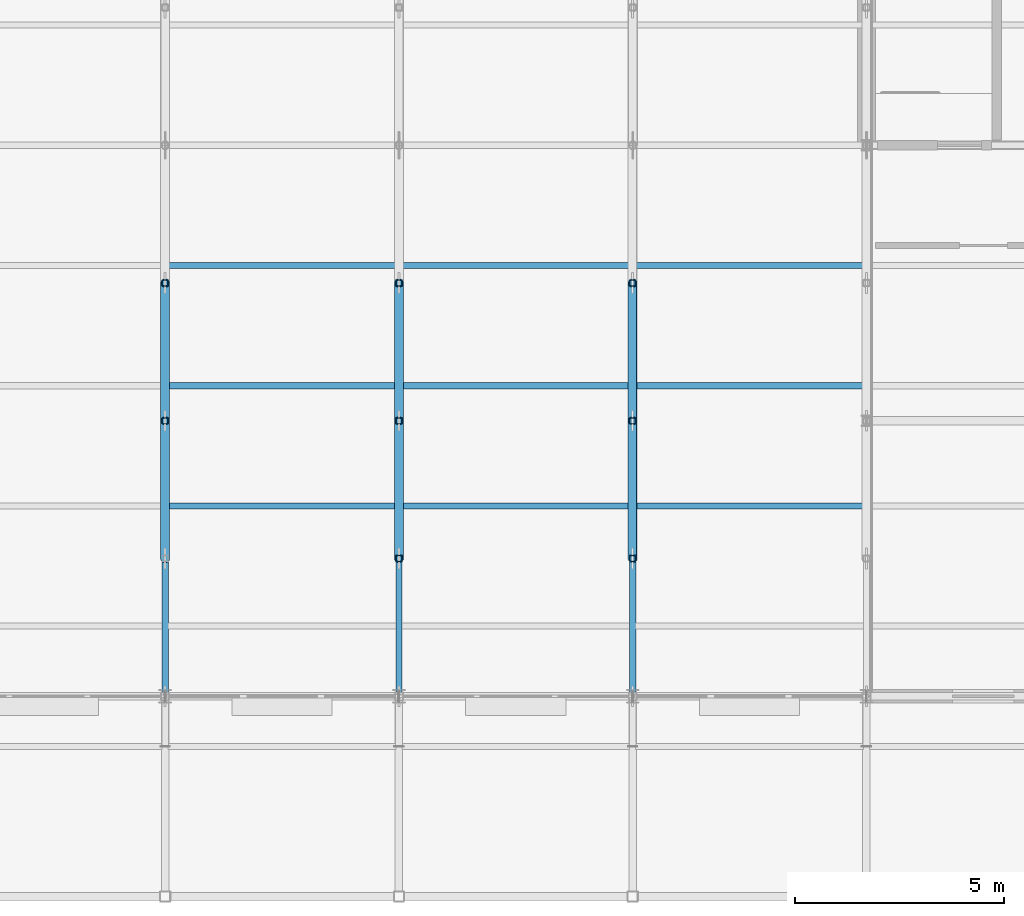
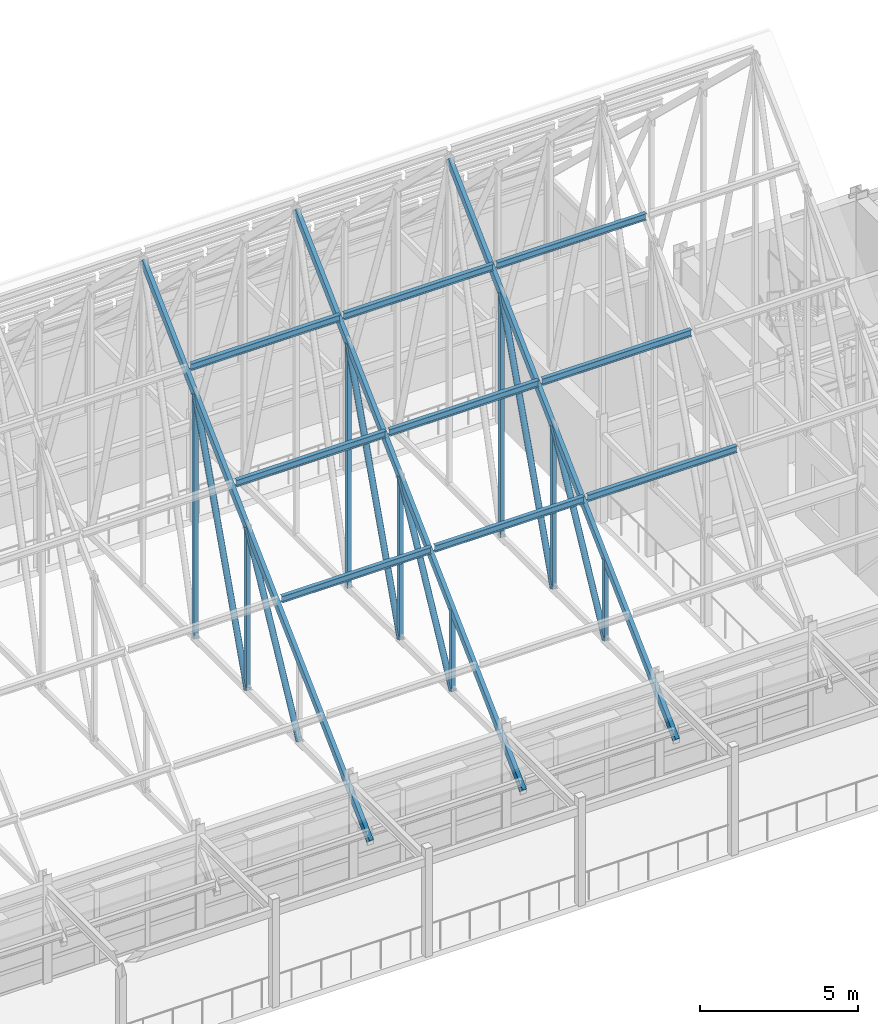
# One storey, part 42 of 144: 26 members.
"""IFC4 building model written with IfcOpenShell, lengths in metres."""

from ifc_helpers import new_model, si_unit, direction, frame, origin, origin_2d, place, context, subcontext, project, spatial, hollow_rectangle, hollow_circle, i_section, extrude, material, material_profile, profile_set, type_object, element, save


model = new_model("IFC4")

# Units and contexts
model_context = context("Model", 3, precision=1e-05, world=origin(), true_north=direction((0.0, 1.0)))
body_context = subcontext(model_context, "Body", "Model", "MODEL_VIEW")
ifc_project = project(units=[si_unit("LENGTHUNIT", "METRE"), si_unit("AREAUNIT", "SQUARE_METRE"), si_unit("VOLUMEUNIT", "CUBIC_METRE"), si_unit("PLANEANGLEUNIT", "RADIAN"), si_unit("MASSUNIT", "GRAM", prefix="KILO")], contexts=[model_context])

# Site, building, storey
site_placement = place(None, origin())
site = spatial("IfcSite", under=ifc_project, at=site_placement, CompositionType="ELEMENT")
building_placement = place(site_placement, origin())
building = spatial("IfcBuilding", under=site, at=building_placement, Name="Trelmorton Wharf Fire Station", CompositionType="ELEMENT")
storey_placement = place(building_placement, frame((0.0, 0.0, 5.39990234375)))
storey = spatial("IfcBuildingStorey", under=building, at=storey_placement, Name="L01", CompositionType="ELEMENT", Elevation=5.39990234375)

# Members
ifc_material_1 = material(Name="Steel Grade 300 (300 MPa)", Category="steel")
ifc_material_profile_1 = material_profile(ifc_material_1, i_section(OverallWidth=0.14599609375, OverallDepth=0.256103515625, WebThickness=0.00634765625, FlangeThickness=0.010986328125, FilletRadius=0.0087890625, at=origin_2d()), Name="250UB37.3")
ifc_profile_set_1 = profile_set([ifc_material_profile_1], Name="Steel Grade 300 (300 MPa)")
member_type_1 = type_object("IfcMemberType", Name="PR_250UB37", PredefinedType="PURLIN", material=ifc_profile_set_1)
for number, where, z_axis, x_axis, name in (
    (1, (34.471923828125, 12.360107421875, 8.064453125), (1.0, 0.0, 0.0), (0.0, 1.0, 0.0), "V1-PR-B07-S2"),
    (2, (34.471923828125, 15.239990234375, 10.8134765625), (1.0, 0.0, 0.0), (0.0, 1.0, 0.0), "V1-PR-B07-S3"),
    (3, (34.471923828125, 18.1201171875, 13.5625), (1.0, 0.0, 0.0), (0.0, 1.0, 0.0), "V1-PR-B07-S4"),
    (4, (40.072021484375, 12.360107421875, 8.064453125), (1.0, 0.0, 0.0), (0.0, 1.0, 0.0), "V1-PR-B08-S2"),
    (5, (40.072021484375, 15.239990234375, 10.8134765625), (1.0, 0.0, 0.0), (0.0, 1.0, 0.0), "V1-PR-B08-S3"),
    (6, (40.072021484375, 18.1201171875, 13.5625), (1.0, 0.0, 0.0), (0.0, 1.0, 0.0), "V1-PR-B08-S4"),
):
    element("IfcMember", number, at=place(storey_placement, frame(where, z_axis=z_axis, x_axis=x_axis)), inside=storey, type_object=member_type_1, Name=name, PredefinedType="PURLIN", context=body_context, shape_type="SweptSolid", body=[
        extrude(i_section(OverallWidth=0.14599609375, OverallDepth=0.256103515625, WebThickness=0.00634765625, FlangeThickness=0.010986328125, FilletRadius=0.0087890625, at=origin_2d()), origin(), (0.0, 0.0, 1.0), 5.4560546875),
    ])
for number, where, z_axis, x_axis, name in (
    (7, (45.672119140625, 12.360107421875, 8.064453125), (1.0, 0.0, 0.0), (0.0, 1.0, 0.0), "V1-PR-B09-S2"),
    (8, (45.672119140625, 15.239990234375, 10.8134765625), (1.0, 0.0, 0.0), (0.0, 1.0, 0.0), "V1-PR-B09-S3"),
    (9, (45.672119140625, 18.1201171875, 13.5625), (1.0, 0.0, 0.0), (0.0, 1.0, 0.0), "V1-PR-B09-S4"),
):
    element("IfcMember", number, at=place(storey_placement, frame(where, z_axis=z_axis, x_axis=x_axis)), inside=storey, type_object=member_type_1, Name=name, PredefinedType="PURLIN", context=body_context, shape_type="SweptSolid", body=[
        extrude(i_section(OverallWidth=0.14599609375, OverallDepth=0.256103515625, WebThickness=0.00634765625, FlangeThickness=0.010986328125, FilletRadius=0.0087890625, at=origin_2d()), origin(), (0.0, 0.0, 1.0), 5.455810546875),
    ])
ifc_material_2 = material(Name="Steel C350L0 (350 MPa)", Category="steel")
ifc_material_profile_2 = material_profile(ifc_material_2, hollow_circle(Radius=0.109619140625, WallThickness=0.00830078125, at=origin_2d()), Name="219.1x8.2CHS")
ifc_profile_set_2 = profile_set([ifc_material_profile_2], Name="Steel C350L0 (350 MPa)")
member_type_2 = type_object("IfcMemberType", Name="TR_DIAG_219CHS", PredefinedType="STRUT", material=ifc_profile_set_2)
member_1_placement = place(storey_placement, frame((34.39990234375, 11.10009765625, 3.351806640625), z_axis=(0.0, 0.463982622554, 0.8858443012), x_axis=(-1.0, 0.0, 0.0)))
element("IfcMember", 10, at=member_1_placement, inside=storey, type_object=member_type_2, Name="V1-TR07-DG-S1", PredefinedType="STRUT", context=body_context, shape_type="SweptSolid", body=[
    extrude(hollow_circle(Radius=0.109619140625, WallThickness=0.00830078125, at=origin_2d()), origin(), (0.0, 0.0, 1.0), 7.11181640625),
])
member_2_placement = place(storey_placement, frame((34.39990234375, 14.39990234375, 3.351806640625), z_axis=(0.0, 0.329681107508, 0.944092351072), x_axis=(-1.0, 0.0, 0.0)))
element("IfcMember", 11, at=member_2_placement, inside=storey, type_object=member_type_2, Name="V1-TR07-DG-S2", PredefinedType="STRUT", context=body_context, shape_type="SweptSolid", body=[
    extrude(hollow_circle(Radius=0.109619140625, WallThickness=0.00830078125, at=origin_2d()), origin(), (0.0, 0.0, 1.0), 10.009765625),
])
member_3_placement = place(storey_placement, frame((40.0, 11.10009765625, 3.351806640625), z_axis=(0.0, 0.463982622554, 0.8858443012), x_axis=(-1.0, 0.0, 0.0)))
element("IfcMember", 12, at=member_3_placement, inside=storey, type_object=member_type_2, Name="V1-TR08-DG-S1", PredefinedType="STRUT", context=body_context, shape_type="SweptSolid", body=[
    extrude(hollow_circle(Radius=0.109619140625, WallThickness=0.00830078125, at=origin_2d()), origin(), (0.0, 0.0, 1.0), 7.11181640625),
])
member_4_placement = place(storey_placement, frame((40.0, 14.39990234375, 3.351806640625), z_axis=(0.0, 0.329681107508, 0.944092351072), x_axis=(-1.0, 0.0, 0.0)))
element("IfcMember", 13, at=member_4_placement, inside=storey, type_object=member_type_2, Name="V1-TR08-DG-S2", PredefinedType="STRUT", context=body_context, shape_type="SweptSolid", body=[
    extrude(hollow_circle(Radius=0.109619140625, WallThickness=0.00830078125, at=origin_2d()), origin(), (0.0, 0.0, 1.0), 10.009765625),
])
member_5_placement = place(storey_placement, frame((45.60009765625, 11.10009765625, 3.351806640625), z_axis=(0.0, 0.463982622554, 0.8858443012), x_axis=(-1.0, 0.0, 0.0)))
element("IfcMember", 14, at=member_5_placement, inside=storey, type_object=member_type_2, Name="V1-TR09-DG-S1", PredefinedType="STRUT", context=body_context, shape_type="SweptSolid", body=[
    extrude(hollow_circle(Radius=0.109619140625, WallThickness=0.00830078125, at=origin_2d()), origin(), (0.0, 0.0, 1.0), 7.11181640625),
])
member_6_placement = place(storey_placement, frame((45.60009765625, 14.39990234375, 3.351806640625), z_axis=(0.0, 0.329681107508, 0.944092351072), x_axis=(-1.0, 0.0, 0.0)))
element("IfcMember", 15, at=member_6_placement, inside=storey, type_object=member_type_2, Name="V1-TR09-DG-S2", PredefinedType="STRUT", context=body_context, shape_type="SweptSolid", body=[
    extrude(hollow_circle(Radius=0.109619140625, WallThickness=0.00830078125, at=origin_2d()), origin(), (0.0, 0.0, 1.0), 10.009765625),
])
ifc_material_profile_3 = material_profile(ifc_material_2, hollow_rectangle(XDim=0.14990234375, YDim=0.14990234375, WallThickness=0.009033203125, at=origin_2d()), Name="150x150x9.0SHS")
ifc_profile_set_3 = profile_set([ifc_material_profile_3], Name="Steel C350L0 (350 MPa)")
member_type_3 = type_object("IfcMemberType", Name="TR_POST_150SHS", PredefinedType="POST", material=ifc_profile_set_3)
member_7_placement = place(storey_placement, frame((34.39990234375, 14.39990234375, 3.351806640625), z_axis=(0.0, 0.0, 1.0), x_axis=(1.0, 0.0, 0.0)))
element("IfcMember", 16, at=member_7_placement, inside=storey, type_object=member_type_3, Name="V1-TR07-VP-S2", PredefinedType="POST", context=body_context, shape_type="SweptSolid", body=[
    extrude(hollow_rectangle(XDim=0.14990234375, YDim=0.14990234375, WallThickness=0.009033203125, at=origin_2d()), origin(), (0.0, 0.0, 1.0), 6.300048828125),
])
member_8_placement = place(storey_placement, frame((34.39990234375, 17.699951171875, 3.351806640625), z_axis=(0.0, 0.0, 1.0), x_axis=(1.0, 0.0, 0.0)))
element("IfcMember", 17, at=member_8_placement, inside=storey, type_object=member_type_3, Name="V1-TR07-VP-S3", PredefinedType="POST", context=body_context, shape_type="SweptSolid", body=[
    extrude(hollow_rectangle(XDim=0.14990234375, YDim=0.14990234375, WallThickness=0.009033203125, at=origin_2d()), origin(), (0.0, 0.0, 1.0), 9.4501953125),
])
member_9_placement = place(storey_placement, frame((40.0, 11.10009765625, 3.351806640625), z_axis=(0.0, 0.0, 1.0), x_axis=(1.0, 0.0, 0.0)))
element("IfcMember", 18, at=member_9_placement, inside=storey, type_object=member_type_3, Name="V1-TR08-VP-S1", PredefinedType="POST", context=body_context, shape_type="SweptSolid", body=[
    extrude(hollow_rectangle(XDim=0.14990234375, YDim=0.14990234375, WallThickness=0.009033203125, at=origin_2d()), origin(), (0.0, 0.0, 1.0), 3.150146484375),
])
member_10_placement = place(storey_placement, frame((40.0, 14.39990234375, 3.351806640625), z_axis=(0.0, 0.0, 1.0), x_axis=(1.0, 0.0, 0.0)))
element("IfcMember", 19, at=member_10_placement, inside=storey, type_object=member_type_3, Name="V1-TR08-VP-S2", PredefinedType="POST", context=body_context, shape_type="SweptSolid", body=[
    extrude(hollow_rectangle(XDim=0.14990234375, YDim=0.14990234375, WallThickness=0.009033203125, at=origin_2d()), origin(), (0.0, 0.0, 1.0), 6.300048828125),
])
member_11_placement = place(storey_placement, frame((40.0, 17.699951171875, 3.351806640625), z_axis=(0.0, 0.0, 1.0), x_axis=(1.0, 0.0, 0.0)))
element("IfcMember", 20, at=member_11_placement, inside=storey, type_object=member_type_3, Name="V1-TR08-VP-S3", PredefinedType="POST", context=body_context, shape_type="SweptSolid", body=[
    extrude(hollow_rectangle(XDim=0.14990234375, YDim=0.14990234375, WallThickness=0.009033203125, at=origin_2d()), origin(), (0.0, 0.0, 1.0), 9.4501953125),
])
member_12_placement = place(storey_placement, frame((45.60009765625, 11.10009765625, 3.351806640625), z_axis=(0.0, 0.0, 1.0), x_axis=(1.0, 0.0, 0.0)))
element("IfcMember", 21, at=member_12_placement, inside=storey, type_object=member_type_3, Name="V1-TR09-VP-S1", PredefinedType="POST", context=body_context, shape_type="SweptSolid", body=[
    extrude(hollow_rectangle(XDim=0.14990234375, YDim=0.14990234375, WallThickness=0.009033203125, at=origin_2d()), origin(), (0.0, 0.0, 1.0), 3.150146484375),
])
member_13_placement = place(storey_placement, frame((45.60009765625, 14.39990234375, 3.351806640625), z_axis=(0.0, 0.0, 1.0), x_axis=(1.0, 0.0, 0.0)))
element("IfcMember", 22, at=member_13_placement, inside=storey, type_object=member_type_3, Name="V1-TR09-VP-S2", PredefinedType="POST", context=body_context, shape_type="SweptSolid", body=[
    extrude(hollow_rectangle(XDim=0.14990234375, YDim=0.14990234375, WallThickness=0.009033203125, at=origin_2d()), origin(), (0.0, 0.0, 1.0), 6.300048828125),
])
member_14_placement = place(storey_placement, frame((45.60009765625, 17.699951171875, 3.351806640625), z_axis=(0.0, 0.0, 1.0), x_axis=(1.0, 0.0, 0.0)))
element("IfcMember", 23, at=member_14_placement, inside=storey, type_object=member_type_3, Name="V1-TR09-VP-S3", PredefinedType="POST", context=body_context, shape_type="SweptSolid", body=[
    extrude(hollow_rectangle(XDim=0.14990234375, YDim=0.14990234375, WallThickness=0.009033203125, at=origin_2d()), origin(), (0.0, 0.0, 1.0), 9.4501953125),
])
ifc_material_profile_4 = material_profile(ifc_material_2, hollow_rectangle(XDim=0.14990234375, YDim=0.25, WallThickness=0.009033203125, at=origin_2d()), Name="250x150x9.0RHS")
ifc_profile_set_4 = profile_set([ifc_material_profile_4], Name="Steel C350L0 (350 MPa)")
member_type_4 = type_object("IfcMemberType", Name="TR_RAFT_250RHS", PredefinedType="RAFTER", material=ifc_profile_set_4)
for number, where, z_axis, x_axis, name in (
    (24, (34.39990234375, 6.60009765625, 2.206298828125), (0.0, 0.723349418794, 0.690482163659), (-1.0, 0.0, 0.0), "V1-TR07-RFS"),
    (25, (40.0, 6.60009765625, 2.206298828125), (0.0, 0.723349418794, 0.690482163659), (-1.0, 0.0, 0.0), "V1-TR08-RFS"),
    (26, (45.60009765625, 6.60009765625, 2.206298828125), (0.0, 0.723349418794, 0.690482163659), (-1.0, 0.0, 0.0), "V1-TR09-RFS"),
):
    element("IfcMember", number, at=place(storey_placement, frame(where, z_axis=z_axis, x_axis=x_axis)), inside=storey, type_object=member_type_4, Name=name, PredefinedType="RAFTER", context=body_context, shape_type="SweptSolid", body=[
        extrude(hollow_rectangle(XDim=0.14990234375, YDim=0.25, WallThickness=0.009033203125, at=origin_2d()), origin(), (0.0, 0.0, 1.0), 19.9072265625),
    ])

save(model, "model.ifc")
